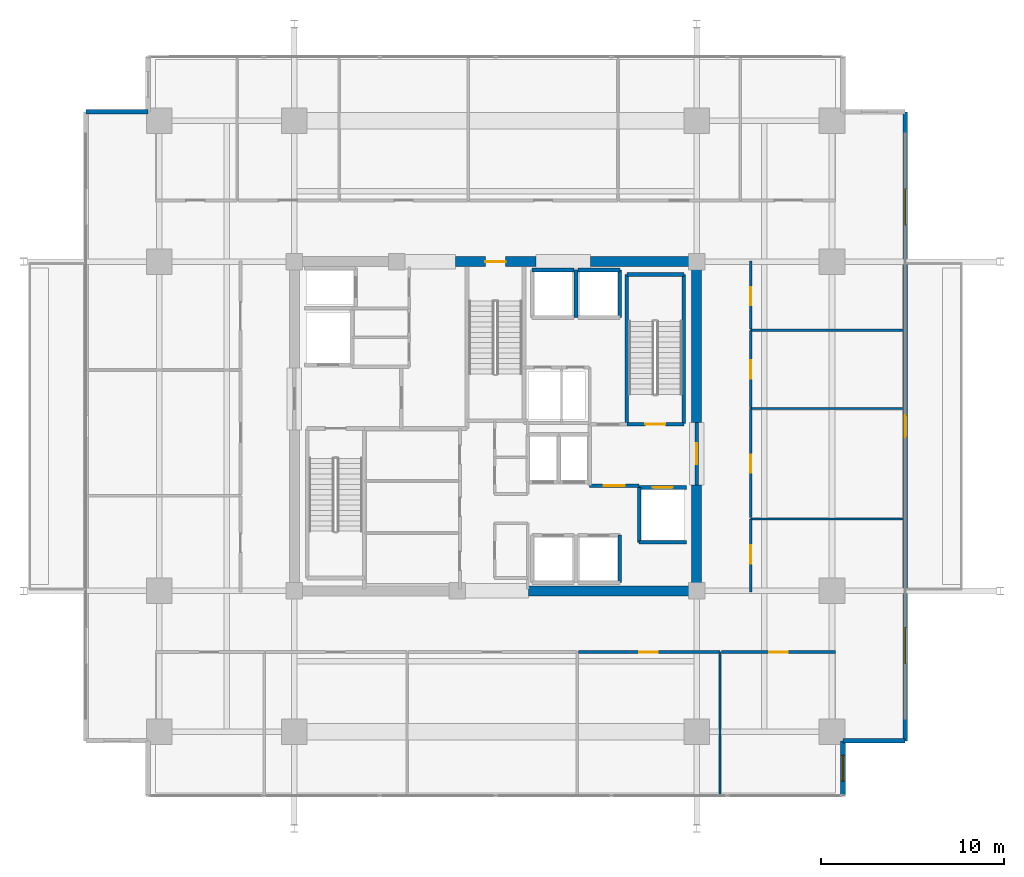
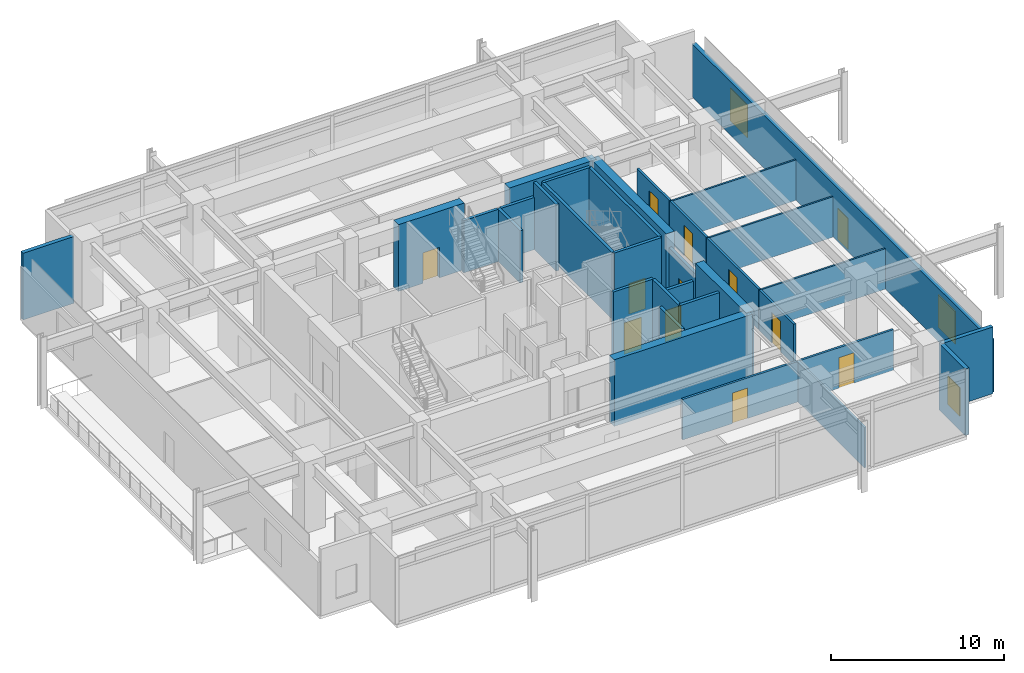
# One storey, part 14 of 19: 33 walls, 12 doors, 3 windows, 15 openings.
"""IFC4 building model written with IfcOpenShell, lengths in metres."""

from ifc_helpers import new_model, si_unit, direction, frame, frame_2d, origin, place, context, subcontext, project, spatial, rectangle, extrude, material, layer, layer_set, type_object, element, fill, save


model = new_model("IFC4")

# Units and contexts
model_context = context("Model", 3, precision=1e-05, world=origin(), true_north=direction((0.0, 1.0)))
body_context = subcontext(model_context, "Body", "Model", "MODEL_VIEW")
ifc_project = project(units=[si_unit("LENGTHUNIT", "METRE"), si_unit("AREAUNIT", "SQUARE_METRE"), si_unit("VOLUMEUNIT", "CUBIC_METRE"), si_unit("PLANEANGLEUNIT", "RADIAN"), si_unit("MASSUNIT", "GRAM", prefix="KILO")], contexts=[model_context])

# Site, building, storey
site_placement = place(None, origin())
site = spatial("IfcSite", under=ifc_project, at=site_placement, CompositionType="ELEMENT")
building_placement = place(site_placement, origin())
building = spatial("IfcBuilding", under=site, at=building_placement, Name="Kovane Verandah Tower", CompositionType="ELEMENT")
storey_placement = place(building_placement, frame((0.0, 0.0, 184.39990234375)))
storey = spatial("IfcBuildingStorey", under=building, at=storey_placement, Name="L43", CompositionType="ELEMENT", Elevation=184.39990234375)

# Wall, opening, door
ifc_material_1 = material(Name="Fire-Rated Gypsum Stud Partition", Category="gypsum")
ifc_layer_1 = layer(ifc_material_1, 0.14990234375)
ifc_layer_set_1 = layer_set([ifc_layer_1], Name="Fire-Rated Gypsum Stud Partition")
wall_type_1 = type_object("IfcWallType", Name="WL-COR-150", PredefinedType="PARTITIONING", material=ifc_layer_set_1)
wall_1_placement = place(storey_placement, frame((44.533935546875, 15.14990234375, 0.0), z_axis=(0.0, 0.0, 1.0), x_axis=(1.0, 0.0, 0.0)))
wall_1 = element("IfcWall", 1, at=wall_1_placement, inside=storey, type_object=wall_type_1, Name="L43 Collaboration Hub S4 Corridor Partition", PredefinedType="PARTITIONING", context=body_context, shape_type="SweptSolid", body=[
    extrude(rectangle(XDim=7.741943359375, YDim=0.14990234375, at=frame_2d((3.87109375, 0.0))), origin(), (0.0, 0.0, 1.0), 2.85009765625),
])
opening_1_placement = place(wall_1_placement, frame((3.3359375, 0.0, 0.0)))
opening_1 = element("IfcOpeningElement", 2, at=opening_1_placement, cuts=wall_1, Name="Opening DR-L43-031", PredefinedType="OPENING", context=body_context, shape_type="SweptSolid", body=[
    extrude(rectangle(XDim=1.0, YDim=2.14990234375, at=frame_2d((0.5, 1.074951171875))), frame((0.0, 0.074951171875, 0.0), z_axis=(0.0, -1.0, 0.0), x_axis=(1.0, 0.0, 0.0)), (0.0, 0.0, 1.0), 0.14990234375),
])
ifc_material_2 = material(Name="FSC Spotted-Gum Timber Fire-Rated Office Door", Category="wood")
door_type_1 = type_object("IfcDoorType", Name="DR-OFF-1000", OperationType="SINGLE_SWING_LEFT", PredefinedType="DOOR", material=ifc_material_2)
door_1_placement = place(opening_1_placement, origin())
door_1 = element("IfcDoor", 3, at=door_1_placement, inside=storey, type_object=door_type_1, Name="L43 Collaboration Hub S4 Entrance Door", OperationType="SINGLE_SWING_RIGHT", OverallHeight=2.14990234375, OverallWidth=1.0, PredefinedType="DOOR", context=body_context, shape_type="SweptSolid", body=[
    extrude(rectangle(XDim=1.0, YDim=2.14990234375, at=frame_2d((0.5, 1.074951171875))), frame((0.0, 0.02490234375, 0.0), z_axis=(0.0, -1.0, 0.0), x_axis=(1.0, 0.0, 0.0)), (0.0, 0.0, 1.0), 0.050048828125),
])
fill(opening_1, door_1)

wall_2_placement = place(storey_placement, frame((52.345947265625, 15.14990234375, 0.0), z_axis=(0.0, 0.0, 1.0), x_axis=(1.0, 0.0, 0.0)))
wall_2 = element("IfcWall", 4, at=wall_2_placement, inside=storey, type_object=wall_type_1, Name="L43 Document and Print Room S5 Corridor Partition", PredefinedType="PARTITIONING", context=body_context, shape_type="SweptSolid", body=[
    extrude(rectangle(XDim=6.254150390625, YDim=0.14990234375, at=frame_2d((3.126953125, 0.0))), origin(), (0.0, 0.0, 1.0), 2.85009765625),
])
opening_2_placement = place(wall_2_placement, frame((2.626953125, 0.0, 0.0)))
opening_2 = element("IfcOpeningElement", 5, at=opening_2_placement, cuts=wall_2, Name="Opening DR-L43-032", PredefinedType="OPENING", context=body_context, shape_type="SweptSolid", body=[
    extrude(rectangle(XDim=1.0, YDim=2.14990234375, at=frame_2d((0.5, 1.074951171875))), frame((0.0, 0.074951171875, 0.0), z_axis=(0.0, -1.0, 0.0), x_axis=(1.0, 0.0, 0.0)), (0.0, 0.0, 1.0), 0.14990234375),
])
door_2_placement = place(opening_2_placement, origin())
door_2 = element("IfcDoor", 6, at=door_2_placement, inside=storey, type_object=door_type_1, Name="L43 Document and Print Room S5 Entrance Door", OperationType="SINGLE_SWING_LEFT", OverallHeight=2.14990234375, OverallWidth=1.0, PredefinedType="DOOR", context=body_context, shape_type="SweptSolid", body=[
    extrude(rectangle(XDim=1.0, YDim=2.14990234375, at=frame_2d((0.5, 1.074951171875))), frame((0.0, 0.02490234375, 0.0), z_axis=(0.0, -1.0, 0.0), x_axis=(1.0, 0.0, 0.0)), (0.0, 0.0, 1.0), 0.050048828125),
])
fill(opening_2, door_2)

wall_3_placement = place(storey_placement, frame((53.949951171875, 18.449951171875, 0.0), z_axis=(0.0, 0.0, 1.0), x_axis=(0.0, 1.0, 0.0)))
wall_3 = element("IfcWall", 7, at=wall_3_placement, inside=storey, type_object=wall_type_1, Name="L43 Meeting Room E1 Corridor Partition", PredefinedType="PARTITIONING", context=body_context, shape_type="SweptSolid", body=[
    extrude(rectangle(XDim=3.98193359375, YDim=0.14990234375, at=frame_2d((1.990966796875, 0.0))), origin(), (0.0, 0.0, 1.0), 2.85009765625),
])
opening_3_placement = place(wall_3_placement, frame((1.531005859375, 0.0, 0.0)))
opening_3 = element("IfcOpeningElement", 8, at=opening_3_placement, cuts=wall_3, Name="Opening DR-L43-013", PredefinedType="OPENING", context=body_context, shape_type="SweptSolid", body=[
    extrude(rectangle(XDim=1.0, YDim=2.14990234375, at=frame_2d((0.5, 1.074951171875))), frame((0.0, 0.074951171875, 0.0), z_axis=(0.0, -1.0, 0.0), x_axis=(1.0, 0.0, 0.0)), (0.0, 0.0, 1.0), 0.14990234375),
])
door_3_placement = place(opening_3_placement, origin())
door_3 = element("IfcDoor", 9, at=door_3_placement, inside=storey, type_object=door_type_1, Name="L43 Meeting Room E1 Entrance Door", OperationType="SINGLE_SWING_LEFT", OverallHeight=2.14990234375, OverallWidth=1.0, PredefinedType="DOOR", context=body_context, shape_type="SweptSolid", body=[
    extrude(rectangle(XDim=1.0, YDim=2.14990234375, at=frame_2d((0.5, 1.074951171875))), frame((0.0, 0.02490234375, 0.0), z_axis=(0.0, -1.0, 0.0), x_axis=(1.0, 0.0, 0.0)), (0.0, 0.0, 1.0), 0.050048828125),
])
fill(opening_3, door_3)

wall_4_placement = place(storey_placement, frame((53.949951171875, 22.501953125, 0.0), z_axis=(0.0, 0.0, 1.0), x_axis=(0.0, 1.0, 0.0)))
wall_4 = element("IfcWall", 10, at=wall_4_placement, inside=storey, type_object=wall_type_1, Name="L43 Focus Studio E2 Corridor Partition", PredefinedType="PARTITIONING", context=body_context, shape_type="SweptSolid", body=[
    extrude(rectangle(XDim=5.968017578125, YDim=0.14990234375, at=frame_2d((2.98388671875, 0.0))), origin(), (0.0, 0.0, 1.0), 2.85009765625),
])
opening_4_placement = place(wall_4_placement, frame((2.448974609375, 0.0, 0.0)))
opening_4 = element("IfcOpeningElement", 11, at=opening_4_placement, cuts=wall_4, Name="Opening DR-L43-014", PredefinedType="OPENING", context=body_context, shape_type="SweptSolid", body=[
    extrude(rectangle(XDim=1.0, YDim=2.14990234375, at=frame_2d((0.5, 1.074951171875))), frame((0.0, 0.074951171875, 0.0), z_axis=(0.0, -1.0, 0.0), x_axis=(1.0, 0.0, 0.0)), (0.0, 0.0, 1.0), 0.14990234375),
])
door_4_placement = place(opening_4_placement, origin())
door_4 = element("IfcDoor", 12, at=door_4_placement, inside=storey, type_object=door_type_1, Name="L43 Focus Studio E2 Entrance Door", OperationType="SINGLE_SWING_RIGHT", OverallHeight=2.14990234375, OverallWidth=1.0, PredefinedType="DOOR", context=body_context, shape_type="SweptSolid", body=[
    extrude(rectangle(XDim=1.0, YDim=2.14990234375, at=frame_2d((0.5, 1.074951171875))), frame((0.0, 0.02490234375, 0.0), z_axis=(0.0, -1.0, 0.0), x_axis=(1.0, 0.0, 0.0)), (0.0, 0.0, 1.0), 0.050048828125),
])
fill(opening_4, door_4)

wall_5_placement = place(storey_placement, frame((53.949951171875, 28.5400390625, 0.0), z_axis=(0.0, 0.0, 1.0), x_axis=(0.0, 1.0, 0.0)))
wall_5 = element("IfcWall", 13, at=wall_5_placement, inside=storey, type_object=wall_type_1, Name="L43 Breakout Pantry E3 Corridor Partition", PredefinedType="PARTITIONING", context=body_context, shape_type="SweptSolid", body=[
    extrude(rectangle(XDim=4.208984375, YDim=0.14990234375, at=frame_2d((2.1044921875, 0.0))), origin(), (0.0, 0.0, 1.0), 2.85009765625),
])
opening_5_placement = place(wall_5_placement, frame((1.569580078125, 0.0, 0.0)))
opening_5 = element("IfcOpeningElement", 14, at=opening_5_placement, cuts=wall_5, Name="Opening DR-L43-015", PredefinedType="OPENING", context=body_context, shape_type="SweptSolid", body=[
    extrude(rectangle(XDim=1.0, YDim=2.14990234375, at=frame_2d((0.5, 1.074951171875))), frame((0.0, 0.074951171875, 0.0), z_axis=(0.0, -1.0, 0.0), x_axis=(1.0, 0.0, 0.0)), (0.0, 0.0, 1.0), 0.14990234375),
])
door_5_placement = place(opening_5_placement, origin())
door_5 = element("IfcDoor", 15, at=door_5_placement, inside=storey, type_object=door_type_1, Name="L43 Breakout Pantry E3 Entrance Door", OperationType="SINGLE_SWING_LEFT", OverallHeight=2.14990234375, OverallWidth=1.0, PredefinedType="DOOR", context=body_context, shape_type="SweptSolid", body=[
    extrude(rectangle(XDim=1.0, YDim=2.14990234375, at=frame_2d((0.5, 1.074951171875))), frame((0.0, 0.02490234375, 0.0), z_axis=(0.0, -1.0, 0.0), x_axis=(1.0, 0.0, 0.0)), (0.0, 0.0, 1.0), 0.050048828125),
])
fill(opening_5, door_5)

wall_6_placement = place(storey_placement, frame((53.949951171875, 32.819091796875, 0.0), z_axis=(0.0, 0.0, 1.0), x_axis=(0.0, 1.0, 0.0)))
wall_6 = element("IfcWall", 16, at=wall_6_placement, inside=storey, type_object=wall_type_1, Name="L43 Collaboration Hub E4 Corridor Partition", PredefinedType="PARTITIONING", context=body_context, shape_type="SweptSolid", body=[
    extrude(rectangle(XDim=3.73095703125, YDim=0.14990234375, at=frame_2d((1.865478515625, 0.0))), origin(), (0.0, 0.0, 1.0), 2.85009765625),
])
opening_6_placement = place(wall_6_placement, frame((1.29052734375, 0.0, 0.0)))
opening_6 = element("IfcOpeningElement", 17, at=opening_6_placement, cuts=wall_6, Name="Opening DR-L43-016", PredefinedType="OPENING", context=body_context, shape_type="SweptSolid", body=[
    extrude(rectangle(XDim=1.0, YDim=2.14990234375, at=frame_2d((0.5, 1.074951171875))), frame((0.0, 0.074951171875, 0.0), z_axis=(0.0, -1.0, 0.0), x_axis=(1.0, 0.0, 0.0)), (0.0, 0.0, 1.0), 0.14990234375),
])
door_6_placement = place(opening_6_placement, origin())
door_6 = element("IfcDoor", 18, at=door_6_placement, inside=storey, type_object=door_type_1, Name="L43 Collaboration Hub E4 Entrance Door", OperationType="SINGLE_SWING_RIGHT", OverallHeight=2.14990234375, OverallWidth=1.0, PredefinedType="DOOR", context=body_context, shape_type="SweptSolid", body=[
    extrude(rectangle(XDim=1.0, YDim=2.14990234375, at=frame_2d((0.5, 1.074951171875))), frame((0.0, 0.02490234375, 0.0), z_axis=(0.0, -1.0, 0.0), x_axis=(1.0, 0.0, 0.0)), (0.0, 0.0, 1.0), 0.050048828125),
])
fill(opening_6, door_6)

# Wall
ifc_material_3 = material(Name="Concrete C60/75", Category="concrete")
ifc_layer_2 = layer(ifc_material_3, 0.550048828125)
ifc_layer_set_2 = layer_set([ifc_layer_2], Name="Concrete C60/75")
wall_type_2 = type_object("IfcWallType", Name="WL-CORE-550", PredefinedType="SHEAR", material=ifc_layer_set_2)
wall_7_placement = place(storey_placement, frame((41.800048828125, 18.5, 0.0), z_axis=(0.0, 0.0, 1.0), x_axis=(1.0, 0.0, 0.0)))
element("IfcWall", 19, at=wall_7_placement, inside=storey, type_object=wall_type_2, Name="L43 Core Shear Wall CS-2", PredefinedType="SHEAR", context=body_context, shape_type="SweptSolid", body=[
    extrude(rectangle(XDim=9.199951171875, YDim=0.550048828125, at=frame_2d((4.60009765625, 0.0))), origin(), (0.0, 0.0, 1.0), 4.7001953125),
])

# Wall, opening, door
wall_8_placement = place(storey_placement, frame((37.800048828125, 36.5, 0.0), z_axis=(0.0, 0.0, 1.0), x_axis=(1.0, 0.0, 0.0)))
wall_8 = element("IfcWall", 20, at=wall_8_placement, inside=storey, type_object=wall_type_2, Name="L43 Core Shear Wall CN-2", PredefinedType="SHEAR", context=body_context, shape_type="SweptSolid", body=[
    extrude(rectangle(XDim=4.39990234375, YDim=0.550048828125, at=frame_2d((2.199951171875, 0.0))), origin(), (0.0, 0.0, 1.0), 4.7001953125),
])
opening_7_placement = place(wall_8_placement, frame((1.64990234375, 0.0, 0.0)))
opening_7 = element("IfcOpeningElement", 21, at=opening_7_placement, cuts=wall_8, Name="Opening DR-L43-011", PredefinedType="OPENING", context=body_context, shape_type="SweptSolid", body=[
    extrude(rectangle(XDim=1.10009765625, YDim=2.14990234375, at=frame_2d((0.550048828125, 1.074951171875))), frame((0.0, 0.27490234375, 0.0), z_axis=(0.0, -1.0, 0.0), x_axis=(1.0, 0.0, 0.0)), (0.0, 0.0, 1.0), 0.550048828125),
])
ifc_material_4 = material(Name="Fire-Rated Steel Exit Door", Category="steel")
door_type_2 = type_object("IfcDoorType", Name="DR-STAIR-1100", OperationType="SINGLE_SWING_LEFT", PredefinedType="DOOR", material=ifc_material_4)
door_7_placement = place(opening_7_placement, origin())
door_7 = element("IfcDoor", 22, at=door_7_placement, inside=storey, type_object=door_type_2, Name="L43 ST-03 Fire Exit Stair Door", OperationType="SINGLE_SWING_LEFT", OverallHeight=2.14990234375, OverallWidth=1.10009765625, PredefinedType="DOOR", context=body_context, shape_type="SweptSolid", body=[
    extrude(rectangle(XDim=1.10009765625, YDim=2.14990234375, at=frame_2d((0.550048828125, 1.074951171875))), frame((0.0, 0.02490234375, 0.0), z_axis=(0.0, -1.0, 0.0), x_axis=(1.0, 0.0, 0.0)), (0.0, 0.0, 1.0), 0.050048828125),
])
fill(opening_7, door_7)

# Walls
for number, where, z_axis, x_axis, name in (
    (23, (45.199951171875, 36.5, 0.0), (0.0, 0.0, 1.0), (1.0, 0.0, 0.0), "L43 Core Shear Wall CN-3"),
    (24, (51.0, 18.5, 0.0), (0.0, 0.0, 1.0), (0.0, 1.0, 0.0), "L43 Core Shear Wall CE-1"),
):
    element("IfcWall", number, at=place(storey_placement, frame(where, z_axis=z_axis, x_axis=x_axis)), inside=storey, type_object=wall_type_2, Name=name, PredefinedType="SHEAR", context=body_context, shape_type="SweptSolid", body=[
        extrude(rectangle(XDim=5.800048828125, YDim=0.550048828125, at=frame_2d((2.89990234375, 0.0))), origin(), (0.0, 0.0, 1.0), 4.7001953125),
    ])
wall_9_placement = place(storey_placement, frame((51.0, 27.699951171875, 0.0), z_axis=(0.0, 0.0, 1.0), x_axis=(0.0, 1.0, 0.0)))
element("IfcWall", 25, at=wall_9_placement, inside=storey, type_object=wall_type_2, Name="L43 Core Shear Wall CE-2", PredefinedType="SHEAR", context=body_context, shape_type="SweptSolid", body=[
    extrude(rectangle(XDim=8.800048828125, YDim=0.550048828125, at=frame_2d((4.39990234375, 0.0))), origin(), (0.0, 0.0, 1.0), 4.7001953125),
])

# Wall, opening, door
ifc_material_5 = material(Name="Concrete C45/55 Fire Wall", Category="concrete")
ifc_layer_3 = layer(ifc_material_5, 0.199951171875)
ifc_layer_set_3 = layer_set([ifc_layer_3], Name="Concrete C45/55 Fire Wall")
wall_type_3 = type_object("IfcWallType", Name="WL-FFL-200", PredefinedType="PARTITIONING", material=ifc_layer_set_3)
wall_10_placement = place(storey_placement, frame((45.14990234375, 24.25, 0.0), z_axis=(0.0, 0.0, 1.0), x_axis=(1.0, 0.0, 0.0)))
wall_10 = element("IfcWall", 26, at=wall_10_placement, inside=storey, type_object=wall_type_3, Name="W-L43-FFLE-S", PredefinedType="PARTITIONING", context=body_context, shape_type="SweptSolid", body=[
    extrude(rectangle(XDim=2.7001953125, YDim=0.199951171875, at=frame_2d((1.35009765625, 0.0))), origin(), (0.0, 0.0, 1.0), 4.7001953125),
])
opening_8_placement = place(wall_10_placement, frame((0.77490234375, 0.0, 0.0)))
opening_8 = element("IfcOpeningElement", 27, at=opening_8_placement, cuts=wall_10, Name="Opening DR-L43-003", PredefinedType="OPENING", context=body_context, shape_type="SweptSolid", body=[
    extrude(rectangle(XDim=1.14990234375, YDim=2.199951171875, at=frame_2d((0.574951171875, 1.10009765625))), frame((0.0, 0.10009765625, 0.0), z_axis=(0.0, -1.0, 0.0), x_axis=(1.0, 0.0, 0.0)), (0.0, 0.0, 1.0), 0.199951171875),
])
ifc_material_6 = material(Name="Smoke-Sealed Firefighting Lobby Door", Category="steel")
door_type_3 = type_object("IfcDoorType", Name="DR-FFL-1150", OperationType="SINGLE_SWING_LEFT", PredefinedType="DOOR", material=ifc_material_6)
door_8_placement = place(opening_8_placement, origin())
door_8 = element("IfcDoor", 28, at=door_8_placement, inside=storey, type_object=door_type_3, Name="L43 East Firefighting Lobby Inner Door", OperationType="SINGLE_SWING_RIGHT", OverallHeight=2.199951171875, OverallWidth=1.14990234375, PredefinedType="DOOR", context=body_context, shape_type="SweptSolid", body=[
    extrude(rectangle(XDim=1.14990234375, YDim=2.199951171875, at=frame_2d((0.574951171875, 1.10009765625))), frame((0.0, 0.02490234375, 0.0), z_axis=(0.0, -1.0, 0.0), x_axis=(1.0, 0.0, 0.0)), (0.0, 0.0, 1.0), 0.050048828125),
])
fill(opening_8, door_8)

wall_11_placement = place(storey_placement, frame((51.0, 24.300048828125, 0.0), z_axis=(0.0, 0.0, 1.0), x_axis=(0.0, 1.0, 0.0)))
wall_11 = element("IfcWall", 29, at=wall_11_placement, inside=storey, type_object=wall_type_3, Name="W-L43-FFLE-OUT", PredefinedType="PARTITIONING", context=body_context, shape_type="SweptSolid", body=[
    extrude(rectangle(XDim=3.39990234375, YDim=0.199951171875, at=frame_2d((1.699951171875, 0.0))), origin(), (0.0, 0.0, 1.0), 3.68017578125),
])
opening_9_placement = place(wall_11_placement, frame((1.125, 0.0, 0.0)))
opening_9 = element("IfcOpeningElement", 30, at=opening_9_placement, cuts=wall_11, Name="Opening DR-L43-005", PredefinedType="OPENING", context=body_context, shape_type="SweptSolid", body=[
    extrude(rectangle(XDim=1.14990234375, YDim=2.199951171875, at=frame_2d((0.574951171875, 1.10009765625))), frame((0.0, 0.10009765625, 0.0), z_axis=(0.0, -1.0, 0.0), x_axis=(1.0, 0.0, 0.0)), (0.0, 0.0, 1.0), 0.199951171875),
])
door_9_placement = place(opening_9_placement, origin())
door_9 = element("IfcDoor", 31, at=door_9_placement, inside=storey, type_object=door_type_3, Name="L43 East Firefighting Lobby Corridor Door", OperationType="SINGLE_SWING_LEFT", OverallHeight=2.199951171875, OverallWidth=1.14990234375, PredefinedType="DOOR", context=body_context, shape_type="SweptSolid", body=[
    extrude(rectangle(XDim=1.14990234375, YDim=2.199951171875, at=frame_2d((0.574951171875, 1.10009765625))), frame((0.0, 0.02490234375, 0.0), z_axis=(0.0, -1.0, 0.0), x_axis=(1.0, 0.0, 0.0)), (0.0, 0.0, 1.0), 0.050048828125),
])
fill(opening_9, door_9)

# Wall
ifc_material_7 = material(Name="Concrete C45/55 Lift Shaft Wall", Category="concrete")
ifc_layer_4 = layer(ifc_material_7, 0.199951171875)
ifc_layer_set_4 = layer_set([ifc_layer_4], Name="Concrete C45/55 Lift Shaft Wall")
wall_type_4 = type_object("IfcWallType", Name="WL-LIFT-200", PredefinedType="SOLIDWALL", material=ifc_layer_set_4)
wall_12_placement = place(storey_placement, frame((47.85009765625, 21.14990234375, 0.0), z_axis=(0.0, 0.0, 1.0), x_axis=(1.0, 0.0, 0.0)))
element("IfcWall", 32, at=wall_12_placement, inside=storey, type_object=wall_type_4, Name="L43 Lift FL-02 S Shaft Wall", PredefinedType="SOLIDWALL", context=body_context, shape_type="SweptSolid", body=[
    extrude(rectangle(XDim=2.599853515625, YDim=0.199951171875, at=frame_2d((1.2998046875, 0.0))), origin(), (0.0, 0.0, 1.0), 4.7001953125),
])

# Wall, opening, door
wall_13_placement = place(storey_placement, frame((50.449951171875, 24.14990234375, 0.0), z_axis=(0.0, 0.0, 1.0), x_axis=(-1.0, 0.0, 0.0)))
wall_13 = element("IfcWall", 33, at=wall_13_placement, inside=storey, type_object=wall_type_4, Name="L43 Lift FL-02 N Shaft Wall", PredefinedType="SOLIDWALL", context=body_context, shape_type="SweptSolid", body=[
    extrude(rectangle(XDim=2.599853515625, YDim=0.199951171875, at=frame_2d((1.2998046875, 0.0))), origin(), (0.0, 0.0, 1.0), 3.68017578125),
])
opening_10_placement = place(wall_13_placement, frame((0.75, 0.0, 0.0)))
opening_10 = element("IfcOpeningElement", 34, at=opening_10_placement, cuts=wall_13, Name="Opening LD-L43-002", PredefinedType="OPENING", context=body_context, shape_type="SweptSolid", body=[
    extrude(rectangle(XDim=1.10009765625, YDim=2.199951171875, at=frame_2d((0.550048828125, 1.10009765625))), frame((0.0, 0.10009765625, 0.0), z_axis=(0.0, -1.0, 0.0), x_axis=(1.0, 0.0, 0.0)), (0.0, 0.0, 1.0), 0.199951171875),
])
ifc_material_8 = material(Name="Brushed Stainless Steel Sliding Lift Landing Door", Category="steel")
door_type_4 = type_object("IfcDoorType", Name="DR-LIFT-1100", OperationType="SLIDING_TO_RIGHT", PredefinedType="DOOR", material=ifc_material_8)
door_10_placement = place(opening_10_placement, origin())
door_10 = element("IfcDoor", 35, at=door_10_placement, inside=storey, type_object=door_type_4, Name="L43 Lift FL-02 Sliding Landing Door", OperationType="SLIDING_TO_RIGHT", OverallHeight=2.199951171875, OverallWidth=1.10009765625, PredefinedType="DOOR", context=body_context, shape_type="SweptSolid", body=[
    extrude(rectangle(XDim=1.10009765625, YDim=2.199951171875, at=frame_2d((0.550048828125, 1.10009765625))), frame((0.0, 0.02490234375, 0.0), z_axis=(0.0, -1.0, 0.0), x_axis=(1.0, 0.0, 0.0)), (0.0, 0.0, 1.0), 0.050048828125),
])
fill(opening_10, door_10)

# Walls
wall_14_placement = place(storey_placement, frame((47.85009765625, 24.14990234375, 0.0), z_axis=(0.0, 0.0, 1.0), x_axis=(0.0, -1.0, 0.0)))
element("IfcWall", 36, at=wall_14_placement, inside=storey, type_object=wall_type_4, Name="L43 Lift FL-02 W Shaft Wall", PredefinedType="SOLIDWALL", context=body_context, shape_type="SweptSolid", body=[
    extrude(rectangle(XDim=3.0, YDim=0.199951171875, at=frame_2d((1.5, 0.0))), origin(), (0.0, 0.0, 1.0), 4.7001953125),
])
wall_15_placement = place(storey_placement, frame((46.800048828125, 18.949951171875, 0.0), z_axis=(0.0, 0.0, 1.0), x_axis=(0.0, 1.0, 0.0)))
element("IfcWall", 37, at=wall_15_placement, inside=storey, type_object=wall_type_4, Name="L43 Lift PL-M2 E Shaft Wall", PredefinedType="SOLIDWALL", context=body_context, shape_type="SweptSolid", body=[
    extrude(rectangle(XDim=2.60009765625, YDim=0.199951171875, at=frame_2d((1.300048828125, 0.0))), origin(), (0.0, 0.0, 1.0), 4.7001953125),
])
wall_16_placement = place(storey_placement, frame((44.300048828125, 36.050048828125, 0.0), z_axis=(0.0, 0.0, 1.0), x_axis=(-1.0, 0.0, 0.0)))
element("IfcWall", 38, at=wall_16_placement, inside=storey, type_object=wall_type_4, Name="L43 Lift SL-01 N Shaft Wall", PredefinedType="SOLIDWALL", context=body_context, shape_type="SweptSolid", body=[
    extrude(rectangle(XDim=2.300048828125, YDim=0.199951171875, at=frame_2d((1.14990234375, 0.0))), origin(), (0.0, 0.0, 1.0), 3.68017578125),
])
wall_17_placement = place(storey_placement, frame((44.39990234375, 33.449951171875, 0.0), z_axis=(0.0, 0.0, 1.0), x_axis=(0.0, 1.0, 0.0)))
element("IfcWall", 39, at=wall_17_placement, inside=storey, type_object=wall_type_4, Name="L43 Lift OL-01 and SL-01 Shared Shaft Wall", PredefinedType="SOLIDWALL", context=body_context, shape_type="SweptSolid", body=[
    extrude(rectangle(XDim=2.60009765625, YDim=0.199951171875, at=frame_2d((1.300048828125, 0.0))), origin(), (0.0, 0.0, 1.0), 3.68017578125),
])
wall_18_placement = place(storey_placement, frame((46.800048828125, 36.050048828125, 0.0), z_axis=(0.0, 0.0, 1.0), x_axis=(-1.0, 0.0, 0.0)))
element("IfcWall", 40, at=wall_18_placement, inside=storey, type_object=wall_type_4, Name="L43 Lift OL-01 N Shaft Wall", PredefinedType="SOLIDWALL", context=body_context, shape_type="SweptSolid", body=[
    extrude(rectangle(XDim=2.300048828125, YDim=0.199951171875, at=frame_2d((1.14990234375, 0.0))), origin(), (0.0, 0.0, 1.0), 3.68017578125),
])
wall_19_placement = place(storey_placement, frame((46.800048828125, 33.449951171875, 0.0), z_axis=(0.0, 0.0, 1.0), x_axis=(0.0, 1.0, 0.0)))
element("IfcWall", 41, at=wall_19_placement, inside=storey, type_object=wall_type_4, Name="L43 Lift OL-01 E Shaft Wall", PredefinedType="SOLIDWALL", context=body_context, shape_type="SweptSolid", body=[
    extrude(rectangle(XDim=2.60009765625, YDim=0.199951171875, at=frame_2d((1.300048828125, 0.0))), origin(), (0.0, 0.0, 1.0), 4.7001953125),
])
ifc_material_9 = material(Name="Acoustic Fire-Rated Gypsum Partition", Category="gypsum")
ifc_layer_5 = layer(ifc_material_9, 0.1201171875)
ifc_layer_set_5 = layer_set([ifc_layer_5], Name="Acoustic Fire-Rated Gypsum Partition")
wall_type_5 = type_object("IfcWallType", Name="WL-PART-120", PredefinedType="PARTITIONING", material=ifc_layer_set_5)
wall_20_placement = place(storey_placement, frame((52.27587890625, 7.39990234375, 0.0), z_axis=(0.0, 0.0, 1.0), x_axis=(0.0, 1.0, 0.0)))
element("IfcWall", 42, at=wall_20_placement, inside=storey, type_object=wall_type_5, Name="L43 Collaboration Hub S4 Dividing Partition", PredefinedType="PARTITIONING", context=body_context, shape_type="SweptSolid", body=[
    extrude(rectangle(XDim=7.75, YDim=0.1201171875, at=frame_2d((3.875, 0.0))), origin(), (0.0, 0.0, 1.0), 2.85009765625),
])
for number, where, z_axis, x_axis, name in (
    (43, (53.949951171875, 22.431884765625, 0.0), (0.0, 0.0, 1.0), (1.0, 0.0, 0.0), "L43 Meeting Room E1 Dividing Partition"),
    (44, (53.949951171875, 28.469970703125, 0.0), (0.0, 0.0, 1.0), (1.0, 0.0, 0.0), "L43 Focus Studio E2 Dividing Partition"),
    (45, (53.949951171875, 32.7490234375, 0.0), (0.0, 0.0, 1.0), (1.0, 0.0, 0.0), "L43 Breakout Pantry E3 Dividing Partition"),
):
    element("IfcWall", number, at=place(storey_placement, frame(where, z_axis=z_axis, x_axis=x_axis)), inside=storey, type_object=wall_type_5, Name=name, PredefinedType="PARTITIONING", context=body_context, shape_type="SweptSolid", body=[
        extrude(rectangle(XDim=8.35009765625, YDim=0.1201171875, at=frame_2d((4.175048828125, 0.0))), origin(), (0.0, 0.0, 1.0), 2.85009765625),
    ])
ifc_material_10 = material(Name="Concrete C45/55", Category="concrete")
ifc_layer_6 = layer(ifc_material_10, 0.199951171875)
ifc_layer_set_6 = layer_set([ifc_layer_6], Name="Concrete C45/55")
wall_type_6 = type_object("IfcWallType", Name="WL-SHAFT-200", PredefinedType="SOLIDWALL", material=ifc_layer_set_6)
wall_21_placement = place(storey_placement, frame((50.300048828125, 27.64990234375, 0.0), z_axis=(0.0, 0.0, 1.0), x_axis=(0.0, 1.0, 0.0)))
element("IfcWall", 46, at=wall_21_placement, inside=storey, type_object=wall_type_6, Name="W-L43-ST02-E", PredefinedType="SOLIDWALL", context=body_context, shape_type="SweptSolid", body=[
    extrude(rectangle(XDim=8.150146484375, YDim=0.199951171875, at=frame_2d((4.0751953125, 0.0))), origin(), (0.0, 0.0, 1.0), 4.7001953125),
])
wall_22_placement = place(storey_placement, frame((47.179931640625, 35.800048828125, 0.0), z_axis=(0.0, 0.0, 1.0), x_axis=(1.0, 0.0, 0.0)))
element("IfcWall", 47, at=wall_22_placement, inside=storey, type_object=wall_type_6, Name="W-L43-ST02-N", PredefinedType="SOLIDWALL", context=body_context, shape_type="SweptSolid", body=[
    extrude(rectangle(XDim=3.1201171875, YDim=0.199951171875, at=frame_2d((1.56005859375, 0.0))), origin(), (0.0, 0.0, 1.0), 4.7001953125),
])
wall_23_placement = place(storey_placement, frame((47.179931640625, 27.6201171875, 0.0), z_axis=(0.0, 0.0, 1.0), x_axis=(0.0, 1.0, 0.0)))
element("IfcWall", 48, at=wall_23_placement, inside=storey, type_object=wall_type_6, Name="W-L43-ST02-W", PredefinedType="SOLIDWALL", context=body_context, shape_type="SweptSolid", body=[
    extrude(rectangle(XDim=8.179931640625, YDim=0.199951171875, at=frame_2d((4.08984375, 0.0))), origin(), (0.0, 0.0, 1.0), 4.7001953125),
])

# Wall, opening, door
wall_24_placement = place(storey_placement, frame((47.179931640625, 27.6201171875, 0.0), z_axis=(0.0, 0.0, 1.0), x_axis=(1.0, 0.0, 0.0)))
wall_24 = element("IfcWall", 49, at=wall_24_placement, inside=storey, type_object=wall_type_6, Name="W-L43-ST02-S", PredefinedType="SOLIDWALL", context=body_context, shape_type="SweptSolid", body=[
    extrude(rectangle(XDim=3.1201171875, YDim=0.199951171875, at=frame_2d((1.56005859375, 0.0))), origin(), (0.0, 0.0, 1.0), 4.7001953125),
])
opening_11_placement = place(wall_24_placement, frame((1.010009765625, 0.0, 0.0)))
opening_11 = element("IfcOpeningElement", 50, at=opening_11_placement, cuts=wall_24, Name="Opening DR-L43-010", PredefinedType="OPENING", context=body_context, shape_type="SweptSolid", body=[
    extrude(rectangle(XDim=1.10009765625, YDim=2.14990234375, at=frame_2d((0.550048828125, 1.074951171875))), frame((0.0, 0.10009765625, 0.0), z_axis=(0.0, -1.0, 0.0), x_axis=(1.0, 0.0, 0.0)), (0.0, 0.0, 1.0), 0.199951171875),
])
door_11_placement = place(opening_11_placement, origin())
door_11 = element("IfcDoor", 51, at=door_11_placement, inside=storey, type_object=door_type_2, Name="L43 ST-02 Fire Exit Stair Door", OperationType="SINGLE_SWING_RIGHT", OverallHeight=2.14990234375, OverallWidth=1.10009765625, PredefinedType="DOOR", context=body_context, shape_type="SweptSolid", body=[
    extrude(rectangle(XDim=1.10009765625, YDim=2.14990234375, at=frame_2d((0.550048828125, 1.074951171875))), frame((0.0, 0.02490234375, 0.0), z_axis=(0.0, -1.0, 0.0), x_axis=(1.0, 0.0, 0.0)), (0.0, 0.0, 1.0), 0.050048828125),
])
fill(opening_11, door_11)

# Wall, openings, door, windows
ifc_material_11 = material(Name="Concrete C45/55 Insulated Spandrel Wall", Category="concrete")
ifc_layer_7 = layer(ifc_material_11, 0.260009765625)
ifc_layer_set_7 = layer_set([ifc_layer_7], Name="Concrete C45/55 Insulated Spandrel Wall")
wall_type_7 = type_object("IfcWallType", Name="WL-SPANDREL-260", PredefinedType="PARAPET", material=ifc_layer_set_7)
wall_25_placement = place(storey_placement, frame((62.39990234375, 10.300048828125, 0.0), z_axis=(0.0, 0.0, 1.0), x_axis=(0.0, 1.0, 0.0)))
wall_25 = element("IfcWall", 52, at=wall_25_placement, inside=storey, type_object=wall_type_7, Name="L43 E Verandah Access Facade Wall", PredefinedType="PARAPET", context=body_context, shape_type="SweptSolid", body=[
    extrude(rectangle(XDim=34.39990234375, YDim=0.260009765625, at=frame_2d((17.199951171875, 0.0))), origin(), (0.0, 0.0, 1.0), 3.75341796875),
])
opening_12_placement = place(wall_25_placement, frame((4.199951171875, 0.0, 0.85009765625)))
opening_12 = element("IfcOpeningElement", 53, at=opening_12_placement, cuts=wall_25, Name="Opening W-04", PredefinedType="OPENING", context=body_context, shape_type="SweptSolid", body=[
    extrude(rectangle(XDim=2.0, YDim=2.300048828125, at=frame_2d((1.0, 1.14990234375))), frame((0.0, 0.1298828125, 0.0), z_axis=(0.0, -1.0, 0.0), x_axis=(1.0, 0.0, 0.0)), (0.0, 0.0, 1.0), 0.260009765625),
])
opening_13_placement = place(wall_25_placement, frame((16.60009765625, 0.0, 0.0)))
opening_13 = element("IfcOpeningElement", 54, at=opening_13_placement, cuts=wall_25, Name="Opening DR-L43-001", PredefinedType="OPENING", context=body_context, shape_type="SweptSolid", body=[
    extrude(rectangle(XDim=1.199951171875, YDim=2.199951171875, at=frame_2d((0.60009765625, 1.10009765625))), frame((0.0, 0.1298828125, 0.0), z_axis=(0.0, -1.0, 0.0), x_axis=(1.0, 0.0, 0.0)), (0.0, 0.0, 1.0), 0.260009765625),
])
opening_14_placement = place(wall_25_placement, frame((28.199951171875, 0.0, 0.85009765625)))
opening_14 = element("IfcOpeningElement", 55, at=opening_14_placement, cuts=wall_25, Name="Opening W-04", PredefinedType="OPENING", context=body_context, shape_type="SweptSolid", body=[
    extrude(rectangle(XDim=2.0, YDim=2.300048828125, at=frame_2d((1.0, 1.14990234375))), frame((0.0, 0.1298828125, 0.0), z_axis=(0.0, -1.0, 0.0), x_axis=(1.0, 0.0, 0.0)), (0.0, 0.0, 1.0), 0.260009765625),
])
ifc_material_12 = material(Name="Cyclone-Rated Glazed Balcony Leaf Door", Category="aluminium")
door_type_5 = type_object("IfcDoorType", Name="DR-BAL-1200x2200", OperationType="SINGLE_SWING_LEFT", PredefinedType="DOOR", material=ifc_material_12)
door_12_placement = place(opening_13_placement, origin())
door_12 = element("IfcDoor", 56, at=door_12_placement, inside=storey, type_object=door_type_5, Name="L43 E Planted Balcony Access Door", OperationType="SINGLE_SWING_LEFT", OverallHeight=2.199951171875, OverallWidth=1.199951171875, PredefinedType="DOOR", context=body_context, shape_type="SweptSolid", body=[
    extrude(rectangle(XDim=1.199951171875, YDim=2.199951171875, at=frame_2d((0.60009765625, 1.10009765625))), frame((0.0, 0.02490234375, 0.0), z_axis=(0.0, -1.0, 0.0), x_axis=(1.0, 0.0, 0.0)), (0.0, 0.0, 1.0), 0.050048828125),
])
fill(opening_13, door_12)
ifc_material_13 = material(Name="Clear Low-E Laminated Double Glazing in Anodised Frame", Category="glass")
window_type_1 = type_object("IfcWindowType", Name="WN-FIXED-2000x2300", PartitioningType="SINGLE_PANEL", PredefinedType="WINDOW", material=ifc_material_13)
window_1_placement = place(opening_12_placement, origin())
window_1 = element("IfcWindow", 57, at=window_1_placement, inside=storey, type_object=window_type_1, Name="L43 E Verandah View Window 1", OverallHeight=2.300048828125, OverallWidth=2.0, PartitioningType="SINGLE_PANEL", PredefinedType="WINDOW", context=body_context, shape_type="SweptSolid", body=[
    extrude(rectangle(XDim=2.0, YDim=2.300048828125, at=frame_2d((1.0, 1.14990234375))), frame((0.0, 0.030029296875, 0.0), z_axis=(0.0, -1.0, 0.0), x_axis=(1.0, 0.0, 0.0)), (0.0, 0.0, 1.0), 0.06005859375),
])
fill(opening_12, window_1)
window_2_placement = place(opening_14_placement, origin())
window_2 = element("IfcWindow", 58, at=window_2_placement, inside=storey, type_object=window_type_1, Name="L43 E Verandah View Window 2", OverallHeight=2.300048828125, OverallWidth=2.0, PartitioningType="SINGLE_PANEL", PredefinedType="WINDOW", context=body_context, shape_type="SweptSolid", body=[
    extrude(rectangle(XDim=2.0, YDim=2.300048828125, at=frame_2d((1.0, 1.14990234375))), frame((0.0, 0.030029296875, 0.0), z_axis=(0.0, -1.0, 0.0), x_axis=(1.0, 0.0, 0.0)), (0.0, 0.0, 1.0), 0.06005859375),
])
fill(opening_14, window_2)

# Wall, opening, window
wall_26_placement = place(storey_placement, frame((59.0, 7.300048828125, 0.0), z_axis=(0.0, 0.0, 1.0), x_axis=(0.0, 1.0, 0.0)))
wall_26 = element("IfcWall", 59, at=wall_26_placement, inside=storey, type_object=wall_type_7, Name="L43 SE Notch Cheek Wall 1", PredefinedType="PARAPET", context=body_context, shape_type="SweptSolid", body=[
    extrude(rectangle(XDim=3.0, YDim=0.260009765625, at=frame_2d((1.5, 0.0))), origin(), (0.0, 0.0, 1.0), 4.7001953125),
])
opening_15_placement = place(wall_26_placement, frame((0.800048828125, 0.0, 0.85009765625)))
opening_15 = element("IfcOpeningElement", 60, at=opening_15_placement, cuts=wall_26, Name="Opening W-01", PredefinedType="OPENING", context=body_context, shape_type="SweptSolid", body=[
    extrude(rectangle(XDim=1.39990234375, YDim=2.0, at=frame_2d((0.699951171875, 1.0))), frame((0.0, 0.1298828125, 0.0), z_axis=(0.0, -1.0, 0.0), x_axis=(1.0, 0.0, 0.0)), (0.0, 0.0, 1.0), 0.260009765625),
])
window_type_2 = type_object("IfcWindowType", Name="WN-OPER-1400x2000", PartitioningType="SINGLE_PANEL", PredefinedType="WINDOW", material=ifc_material_13)
window_3_placement = place(opening_15_placement, origin())
window_3 = element("IfcWindow", 61, at=window_3_placement, inside=storey, type_object=window_type_2, Name="L43 SE Re-Entrant Corner Operable Window", OverallHeight=2.0, OverallWidth=1.39990234375, PartitioningType="SINGLE_PANEL", PredefinedType="WINDOW", context=body_context, shape_type="SweptSolid", body=[
    extrude(rectangle(XDim=1.39990234375, YDim=2.0, at=frame_2d((0.699951171875, 1.0))), frame((0.0, 0.030029296875, 0.0), z_axis=(0.0, -1.0, 0.0), x_axis=(1.0, 0.0, 0.0)), (0.0, 0.0, 1.0), 0.06005859375),
])
fill(opening_15, window_3)

# Walls
for number, where, z_axis, x_axis, name in (
    (62, (59.0, 10.300048828125, 0.0), (0.0, 0.0, 1.0), (1.0, 0.0, 0.0), "L43 SE Notch Cheek Wall 2"),
    (63, (21.0, 44.699951171875, 0.0), (0.0, 0.0, 1.0), (-1.0, 0.0, 0.0), "L43 NW Notch Cheek Wall 2"),
):
    element("IfcWall", number, at=place(storey_placement, frame(where, z_axis=z_axis, x_axis=x_axis)), inside=storey, type_object=wall_type_7, Name=name, PredefinedType="PARAPET", context=body_context, shape_type="SweptSolid", body=[
        extrude(rectangle(XDim=3.39990234375, YDim=0.260009765625, at=frame_2d((1.699951171875, 0.0))), origin(), (0.0, 0.0, 1.0), 4.7001953125),
    ])

save(model, "model.ifc")
